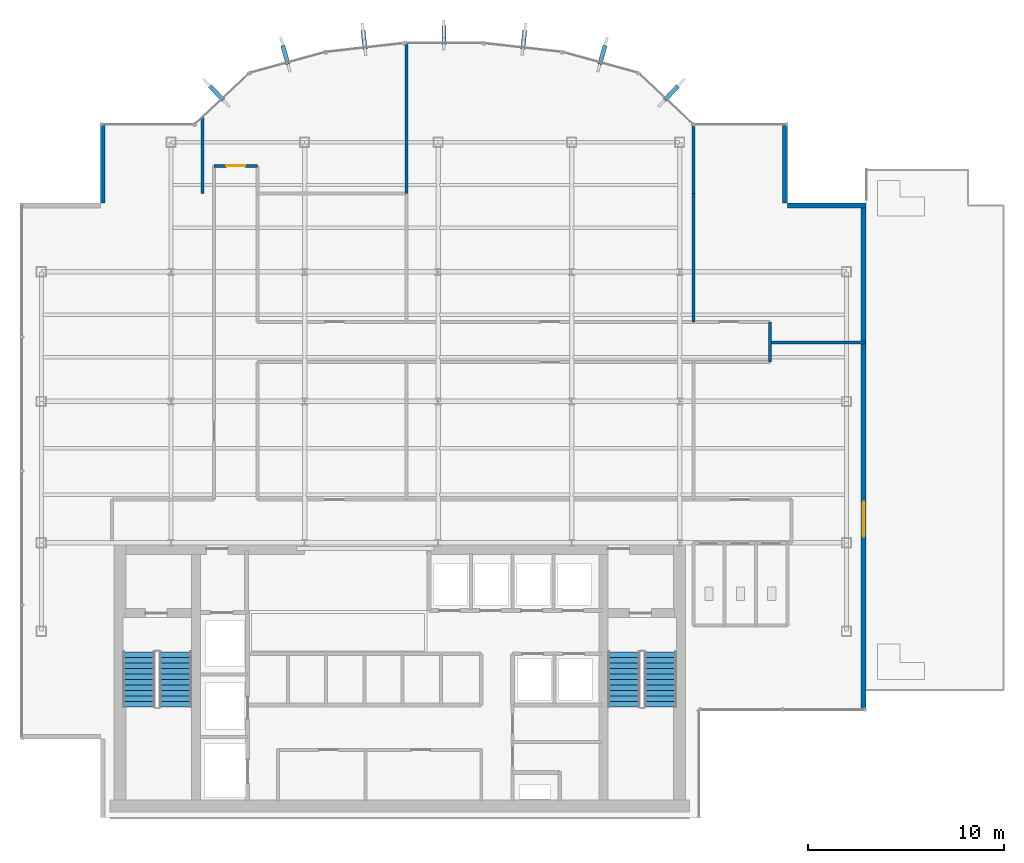
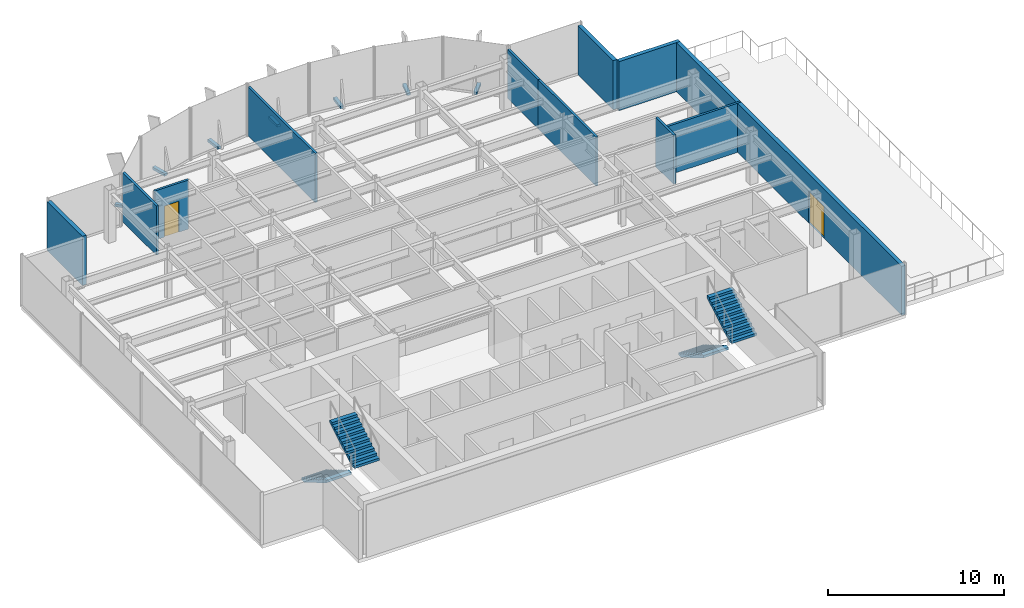
# One storey, part 18 of 21: 11 walls, 7 discrete accessories, 4 stair flights, 2 doors, 2 openings, 2 elements without a shape of their own.
"""IFC4 building model written with IfcOpenShell, lengths in metres."""

from ifc_helpers import new_model, si_unit, derived_unit, direction, frame, frame_2d, origin, origin_2d, place, context, subcontext, project, spatial, polyline, rectangle, outline, extrude, source, transform, mapped, material, layer, layer_set, type_object, element, fill, aggregate, save


model = new_model("IFC4")

# Units and contexts
model_context = context("Model", 3, precision=1e-05, world=origin(), true_north=direction((0.0, 1.0)))
body_context = subcontext(model_context, "Body", "Model", "MODEL_VIEW")
ifc_project = project(units=[si_unit("LENGTHUNIT", "METRE"), si_unit("AREAUNIT", "SQUARE_METRE"), si_unit("VOLUMEUNIT", "CUBIC_METRE"), si_unit("PLANEANGLEUNIT", "RADIAN"), si_unit("MASSUNIT", "GRAM", prefix="KILO"), derived_unit("THERMALTRANSMITTANCEUNIT", [(si_unit("POWERUNIT", "WATT"), 1), (si_unit("LENGTHUNIT", "METRE"), -2), (si_unit("THERMODYNAMICTEMPERATUREUNIT", "KELVIN"), -1)])], contexts=[model_context])

# Site, building, storey
site_placement = place(None, origin())
site = spatial("IfcSite", under=ifc_project, at=site_placement, CompositionType="ELEMENT")
building_placement = place(site_placement, origin())
building = spatial("IfcBuilding", under=site, at=building_placement, Name="Skarnbrae Concourse Arena and Tower", CompositionType="ELEMENT")
storey_placement = place(building_placement, frame((0.0, 0.0, 188.60009765625)))
storey = spatial("IfcBuildingStorey", under=building, at=storey_placement, Name="L48", CompositionType="ELEMENT", Elevation=188.60009765625)

# Walls
ifc_material_1 = material(Name="Precast concrete 40 MPa (C40/50)", Category="concrete")
ifc_layer_1 = layer(ifc_material_1, 0.25)
ifc_layer_set_1 = layer_set([ifc_layer_1], Name="Precast concrete 40 MPa (C40/50)")
wall_type_1 = type_object("IfcWallType", Name="WALL-EXT-SPANDREL-250", PredefinedType="STANDARD", material=ifc_layer_set_1)
shared_shape_1 = source(origin(), body_context, "Body", "SweptSolid", [
    extrude(rectangle(XDim=4.0, YDim=0.25, at=frame_2d((2.0, 0.0))), origin(), (0.0, 0.0, 1.0), 3.39990234375),
])
for number, where, z_axis, x_axis, name in (
    (1, (43.0, 31.175048828125, 0.0), (0.0, 0.0, 1.0), (-1.0, 0.0, 0.0), "L48 Notched corner insulated return wall 05"),
    (2, (38.875, 31.300048828125, 0.0), (0.0, 0.0, 1.0), (0.0, 1.0, 0.0), "L48 Notched corner insulated return wall 06"),
    (3, (4.125, 35.300048828125, 0.0), (0.0, 0.0, 1.0), (0.0, -1.0, 0.0), "L48 Notched corner insulated return wall 16"),
):
    element("IfcWall", number, at=place(storey_placement, frame(where, z_axis=z_axis, x_axis=x_axis)), inside=storey, type_object=wall_type_1, Name=name, PredefinedType="STANDARD", context=body_context, shape_type="MappedRepresentation", body=[
        mapped(shared_shape_1, transform((0.0, 0.0, 0.0))),
    ])

# Wall, opening, door
shared_shape_2 = source(origin(), body_context, "Body", "SweptSolid", [
    extrude(rectangle(XDim=25.800048828125, YDim=0.25, at=frame_2d((12.89990234375, 0.0))), origin(), (0.0, 0.0, 1.0), 3.39990234375),
])
wall_1_placement = place(storey_placement, frame((42.875, 5.5, 0.0), z_axis=(0.0, 0.0, 1.0), x_axis=(0.0, 1.0, 0.0)))
wall_1 = element("IfcWall", 4, at=wall_1_placement, inside=storey, type_object=wall_type_1, Name="L48 East terrace access facade wall", PredefinedType="STANDARD", context=body_context, shape_type="MappedRepresentation", body=[
    mapped(shared_shape_2, transform((0.0, 0.0, 0.0))),
])
opening_1_placement = place(wall_1_placement, frame((8.800048828125, 0.0, 0.0)))
opening_1 = element("IfcOpeningElement", 5, at=opening_1_placement, cuts=wall_1, Name="Opening DT-02", PredefinedType="OPENING", context=body_context, shape_type="SweptSolid", body=[
    extrude(rectangle(XDim=1.800048828125, YDim=2.199951171875, at=frame_2d((0.89990234375, 1.10009765625))), frame((0.0, 0.135009765625, 0.0), z_axis=(0.0, -1.0, 0.0), x_axis=(1.0, 0.0, 0.0)), (0.0, 0.0, 1.0), 0.27001953125),
])
ifc_material_2 = material(Name="Bronze anodised aluminium 6063-T6", Category="aluminium")
door_type_1 = type_object("IfcDoorType", Name="DOOR-TERRACE-1800", OperationType="DOUBLE_DOOR_SINGLE_SWING", PredefinedType="DOOR", material=ifc_material_2)
shared_shape_3 = source(origin(), body_context, "Body", "SweptSolid", [
    extrude(rectangle(XDim=1.800048828125, YDim=2.199951171875, at=frame_2d((0.89990234375, 1.10009765625))), frame((0.0, 0.02490234375, 0.0), z_axis=(0.0, -1.0, 0.0), x_axis=(1.0, 0.0, 0.0)), (0.0, 0.0, 1.0), 0.050048828125),
])
door_1_placement = place(opening_1_placement, frame((1.800048828125, 0.0, 0.0), z_axis=(0.0, 0.0, 1.0), x_axis=(-1.0, 0.0, 0.0)))
door_1 = element("IfcDoor", 6, at=door_1_placement, inside=storey, type_object=door_type_1, Name="D-0041 L48 Setback Terrace Door", OperationType="DOUBLE_DOOR_SINGLE_SWING", OverallHeight=2.199951171875, OverallWidth=1.800048828125, PredefinedType="DOOR", context=body_context, shape_type="MappedRepresentation", body=[
    mapped(shared_shape_3, transform((0.0, 0.0, 0.0))),
])
fill(opening_1, door_1)

# Wall
ifc_material_3 = material(Name="Gypsum board on cold-formed steel studs", Category="steel")
ifc_layer_2 = layer(ifc_material_3, 0.14990234375)
ifc_layer_set_2 = layer_set([ifc_layer_2], Name="Gypsum board on cold-formed steel studs")
wall_type_2 = type_object("IfcWallType", Name="WALL-PART-150-1HR", PredefinedType="PARTITIONING", material=ifc_layer_set_2)
shared_shape_4 = source(origin(), body_context, "Body", "SweptSolid", [
    extrude(rectangle(XDim=2.050048828125, YDim=0.14990234375, at=frame_2d((1.02490234375, 0.0))), origin(), (0.0, 0.0, 1.0), 3.39990234375),
])
wall_2_placement = place(storey_placement, frame((38.10009765625, 25.25, 0.0), z_axis=(0.0, 0.0, 1.0), x_axis=(0.0, -1.0, 0.0)))
element("IfcWall", 7, at=wall_2_placement, inside=storey, type_object=wall_type_2, Name="L48 Interior partition wall W-L48-COR-09", PredefinedType="PARTITIONING", context=body_context, shape_type="MappedRepresentation", body=[
    mapped(shared_shape_4, transform((0.0, 0.0, 0.0))),
])

# Wall, opening, door
shared_shape_5 = source(origin(), body_context, "Body", "SweptSolid", [
    extrude(rectangle(XDim=2.199951171875, YDim=0.14990234375, at=frame_2d((1.10009765625, 0.0))), origin(), (0.0, 0.0, 1.0), 3.39990234375),
])
wall_3_placement = place(storey_placement, frame((9.800048828125, 33.199951171875, 0.0), z_axis=(0.0, 0.0, 1.0), x_axis=(1.0, 0.0, 0.0)))
wall_3 = element("IfcWall", 8, at=wall_3_placement, inside=storey, type_object=wall_type_2, Name="L48 Interior partition wall W-L48-COR-06", PredefinedType="PARTITIONING", context=body_context, shape_type="MappedRepresentation", body=[
    mapped(shared_shape_5, transform((0.0, 0.0, 0.0))),
])
opening_2_placement = place(wall_3_placement, frame((0.625, 0.0, 0.0)))
opening_2 = element("IfcOpeningElement", 9, at=opening_2_placement, cuts=wall_3, Name="Opening DT-04", PredefinedType="OPENING", context=body_context, shape_type="SweptSolid", body=[
    extrude(rectangle(XDim=0.949951171875, YDim=2.14990234375, at=frame_2d((0.47509765625, 1.074951171875))), frame((0.0, 0.0849609375, 0.0), z_axis=(0.0, -1.0, 0.0), x_axis=(1.0, 0.0, 0.0)), (0.0, 0.0, 1.0), 0.169921875),
])
ifc_material_4 = material(Name="Steel CSA G40.21 350W", Category="steel")
door_type_2 = type_object("IfcDoorType", Name="DOOR-INT-950-45M", OperationType="NOTDEFINED", PredefinedType="DOOR", material=ifc_material_4)
shared_shape_6 = source(origin(), body_context, "Body", "SweptSolid", [
    extrude(rectangle(XDim=0.949951171875, YDim=2.14990234375, at=frame_2d((0.47509765625, 1.074951171875))), frame((0.0, 0.02490234375, 0.0), z_axis=(0.0, -1.0, 0.0), x_axis=(1.0, 0.0, 0.0)), (0.0, 0.0, 1.0), 0.050048828125),
])
door_2_placement = place(opening_2_placement, origin())
door_2 = element("IfcDoor", 10, at=door_2_placement, inside=storey, type_object=door_type_2, Name="D-1488 L48 Suite Door 02", OperationType="SINGLE_SWING_LEFT", OverallHeight=2.14990234375, OverallWidth=0.949951171875, PredefinedType="DOOR", context=body_context, shape_type="MappedRepresentation", body=[
    mapped(shared_shape_6, transform((0.0, 0.0, 0.0))),
])
fill(opening_2, door_2)

# Walls
ifc_layer_3 = layer(ifc_material_3, 0.14990234375)
ifc_layer_set_3 = layer_set([ifc_layer_3], Name="Gypsum board on cold-formed steel studs")
wall_type_3 = type_object("IfcWallType", Name="WALL-PART-150", PredefinedType="PARTITIONING", material=ifc_layer_set_3)
shared_shape_7 = source(origin(), body_context, "Body", "SweptSolid", [
    extrude(rectangle(XDim=3.84912109375, YDim=0.14990234375, at=frame_2d((1.924560546875, 0.0))), origin(), (0.0, 0.0, 1.0), 3.39990234375),
])
wall_4_placement = place(storey_placement, frame((9.199951171875, 35.649169921875, 0.0), z_axis=(0.0, 0.0, 1.0), x_axis=(0.0, -1.0, 0.0)))
element("IfcWall", 11, at=wall_4_placement, inside=storey, type_object=wall_type_3, Name="L48 Interior partition wall W-L48-DEM-15", PredefinedType="PARTITIONING", context=body_context, shape_type="MappedRepresentation", body=[
    mapped(shared_shape_7, transform((0.0, 0.0, 0.0))),
])
shared_shape_8 = source(origin(), body_context, "Body", "SweptSolid", [
    extrude(rectangle(XDim=6.550048828125, YDim=0.14990234375, at=frame_2d((3.27490234375, 0.0))), origin(), (0.0, 0.0, 1.0), 3.39990234375),
])
wall_5_placement = place(storey_placement, frame((34.199951171875, 31.800048828125, 0.0), z_axis=(0.0, 0.0, 1.0), x_axis=(0.0, -1.0, 0.0)))
element("IfcWall", 12, at=wall_5_placement, inside=storey, type_object=wall_type_3, Name="L48 Interior partition wall W-L48-DEM-22", PredefinedType="PARTITIONING", context=body_context, shape_type="MappedRepresentation", body=[
    mapped(shared_shape_8, transform((0.0, 0.0, 0.0))),
])
shared_shape_9 = source(origin(), body_context, "Body", "SweptSolid", [
    extrude(rectangle(XDim=7.626708984375, YDim=0.14990234375, at=frame_2d((3.8134765625, 0.0))), origin(), (0.0, 0.0, 1.0), 3.39990234375),
])
wall_6_placement = place(storey_placement, frame((19.60009765625, 39.4267578125, 0.0), z_axis=(0.0, 0.0, 1.0), x_axis=(0.0, -1.0, 0.0)))
element("IfcWall", 13, at=wall_6_placement, inside=storey, type_object=wall_type_3, Name="L48 Interior partition wall W-L48-DEM-19", PredefinedType="PARTITIONING", context=body_context, shape_type="MappedRepresentation", body=[
    mapped(shared_shape_9, transform((0.0, 0.0, 0.0))),
])
shared_shape_10 = source(origin(), body_context, "Body", "SweptSolid", [
    extrude(rectangle(XDim=3.47998046875, YDim=0.14990234375, at=frame_2d((1.739990234375, 0.0))), origin(), (0.0, 0.0, 1.0), 3.39990234375),
])
wall_7_placement = place(storey_placement, frame((34.199951171875, 35.280029296875, 0.0), z_axis=(0.0, 0.0, 1.0), x_axis=(0.0, -1.0, 0.0)))
element("IfcWall", 14, at=wall_7_placement, inside=storey, type_object=wall_type_3, Name="L48 Interior partition wall W-L48-DEM-21", PredefinedType="PARTITIONING", context=body_context, shape_type="MappedRepresentation", body=[
    mapped(shared_shape_10, transform((0.0, 0.0, 0.0))),
])
shared_shape_11 = source(origin(), body_context, "Body", "SweptSolid", [
    extrude(rectangle(XDim=4.8798828125, YDim=0.14990234375, at=frame_2d((2.43994140625, 0.0))), origin(), (0.0, 0.0, 1.0), 3.39990234375),
])
wall_8_placement = place(storey_placement, frame((42.97998046875, 24.199951171875, 0.0), z_axis=(0.0, 0.0, 1.0), x_axis=(-1.0, 0.0, 0.0)))
element("IfcWall", 15, at=wall_8_placement, inside=storey, type_object=wall_type_3, Name="L48 Interior partition wall W-L48-DEM-23", PredefinedType="PARTITIONING", context=body_context, shape_type="MappedRepresentation", body=[
    mapped(shared_shape_11, transform((0.0, 0.0, 0.0))),
])

# Stair, stair flights
ifc_material_5 = material(Name="Concrete 40 MPa (C40/50)", Category="concrete")
stair_type = type_object("IfcStairType", Name="STAIR-DOGLEG-1650", PredefinedType="HALF_TURN_STAIR", material=ifc_material_5)
stair_1_placement = place(storey_placement, origin())
stair_1 = element("IfcStair", 16, at=stair_1_placement, inside=storey, type_object=stair_type, Name="L48 Protected Exit Stair ST-1", PredefinedType="HALF_TURN_STAIR")
stair_flight_type = type_object("IfcStairFlightType", Name="FLIGHT-STRAIGHT-1650", PredefinedType="STRAIGHT", material=ifc_material_5)
shared_shape_12 = source(origin(), body_context, "Body", "SweptSolid", [
    extrude(outline(polyline([(0.0, 0.0), (0.0, 0.166015625), (0.280029296875, 0.166015625), (0.280029296875, 0.331787109375), (0.56005859375, 0.331787109375), (0.56005859375, 0.497802734375), (0.840087890625, 0.497802734375), (0.840087890625, 0.66357421875), (1.1201171875, 0.66357421875), (1.1201171875, 0.82958984375), (1.39990234375, 0.82958984375), (1.39990234375, 0.995361328125), (1.679931640625, 0.995361328125), (1.679931640625, 1.161376953125), (1.9599609375, 1.161376953125), (1.9599609375, 1.327392578125), (2.239990234375, 1.327392578125), (2.239990234375, 1.4931640625), (2.52001953125, 1.4931640625), (2.52001953125, 1.6591796875), (2.800048828125, 1.6591796875), (2.800048828125, 1.824951171875), (2.800048828125, 1.48486328125), (0.2939453125, 0.0), (0.0, 0.0)])), frame((0.0, 0.824951171875, 0.0), z_axis=(0.0, -1.0, 0.0), x_axis=(1.0, 0.0, 0.0)), (0.0, 0.0, 1.0), 1.64990234375),
])
stair_flight_1_placement = place(storey_placement, frame((5.97509765625, 8.449951171875, 0.0), z_axis=(0.0, 0.0, 1.0), x_axis=(0.0, -1.0, 0.0)))
stair_flight_1 = element("IfcStairFlight", 17, at=stair_flight_1_placement, type_object=stair_flight_type, Name="ST-1 flight 1", NumberOfRisers=11, NumberOfTreads=10, PredefinedType="STRAIGHT", RiserHeight=0.165909091, TreadLength=0.28, context=body_context, shape_type="MappedRepresentation", body=[
    mapped(shared_shape_12, transform((0.0, 0.0, 0.0))),
])
stair_flight_2_placement = place(storey_placement, frame((7.824951171875, 5.64990234375, 1.824951171875), z_axis=(0.0, 0.0, 1.0), x_axis=(0.0, 1.0, 0.0)))
stair_flight_2 = element("IfcStairFlight", 18, at=stair_flight_2_placement, type_object=stair_flight_type, Name="ST-1 flight 2", NumberOfRisers=11, NumberOfTreads=10, PredefinedType="STRAIGHT", RiserHeight=0.165909091, TreadLength=0.28, context=body_context, shape_type="MappedRepresentation", body=[
    mapped(shared_shape_12, transform((0.0, 0.0, 0.0))),
])
aggregate(stair_1, [stair_flight_1, stair_flight_2])

stair_2_placement = place(storey_placement, origin())
stair_2 = element("IfcStair", 19, at=stair_2_placement, inside=storey, type_object=stair_type, Name="L48 Protected Exit Stair ST-2", PredefinedType="HALF_TURN_STAIR")
stair_flight_3_placement = place(storey_placement, frame((30.675048828125, 8.449951171875, 0.0), z_axis=(0.0, 0.0, 1.0), x_axis=(0.0, -1.0, 0.0)))
stair_flight_3 = element("IfcStairFlight", 20, at=stair_flight_3_placement, type_object=stair_flight_type, Name="ST-2 flight 1", NumberOfRisers=11, NumberOfTreads=10, PredefinedType="STRAIGHT", RiserHeight=0.165909091, TreadLength=0.28, context=body_context, shape_type="MappedRepresentation", body=[
    mapped(shared_shape_12, transform((0.0, 0.0, 0.0))),
])
stair_flight_4_placement = place(storey_placement, frame((32.52490234375, 5.64990234375, 1.824951171875), z_axis=(0.0, 0.0, 1.0), x_axis=(0.0, 1.0, 0.0)))
stair_flight_4 = element("IfcStairFlight", 21, at=stair_flight_4_placement, type_object=stair_flight_type, Name="ST-2 flight 2", NumberOfRisers=11, NumberOfTreads=10, PredefinedType="STRAIGHT", RiserHeight=0.165909091, TreadLength=0.28, context=body_context, shape_type="MappedRepresentation", body=[
    mapped(shared_shape_12, transform((0.0, 0.0, 0.0))),
])
aggregate(stair_2, [stair_flight_3, stair_flight_4])

# Discrete accessories
discrete_accessory_type = type_object("IfcDiscreteAccessoryType", Name="ACC-FIN-BRACKET", PredefinedType="BRACKET", material=ifc_material_2)
shared_shape_13 = source(origin(), body_context, "Body", "SweptSolid", [
    extrude(rectangle(XDim=0.219970703125, YDim=0.97998046875, at=origin_2d()), origin(), (0.0, 0.0, 1.0), 0.179931640625),
])
for number, where, z_axis, x_axis, name in (
    (22, (33.0791015625, 36.904541015625, -0.0302734375), (0.0, 0.0, 1.0), (0.728131751529, -0.685437198009, 0.0), "L48 Bronze fin foot support bracket 08"),
    (23, (29.573974609375, 38.847412109375, -0.0302734375), (0.0, 0.0, 1.0), (0.964058316208, -0.265690728011, 0.0), "L48 Bronze fin foot support bracket 09"),
    (24, (25.566162109375, 39.619384765625, -0.0302734375), (0.0, 0.0, 1.0), (0.993769864509, -0.111451587667, 0.0), "L48 Bronze fin foot support bracket 10"),
    (25, (21.5, 39.8466796875, -0.0302734375), (0.0, 0.0, 1.0), (1.0, 0.0, 0.0), "L48 Bronze fin foot support bracket 11"),
    (26, (17.433837890625, 39.619384765625, -0.0302734375), (0.0, 0.0, 1.0), (0.993769864509, 0.111451587667, 0.0), "L48 Bronze fin foot support bracket 12"),
    (27, (13.426025390625, 38.847412109375, -0.0302734375), (0.0, 0.0, 1.0), (0.964058316208, 0.265690728011, 0.0), "L48 Bronze fin foot support bracket 13"),
    (28, (9.9208984375, 36.904541015625, -0.0302734375), (0.0, 0.0, 1.0), (0.728131751529, 0.685437198009, 0.0), "L48 Bronze fin foot support bracket 14"),
):
    element("IfcDiscreteAccessory", number, at=place(storey_placement, frame(where, z_axis=z_axis, x_axis=x_axis)), inside=storey, type_object=discrete_accessory_type, Name=name, PredefinedType="BRACKET", context=body_context, shape_type="MappedRepresentation", body=[
        mapped(shared_shape_13, transform((0.0, 0.0, 0.0))),
    ])

save(model, "model.ifc")
